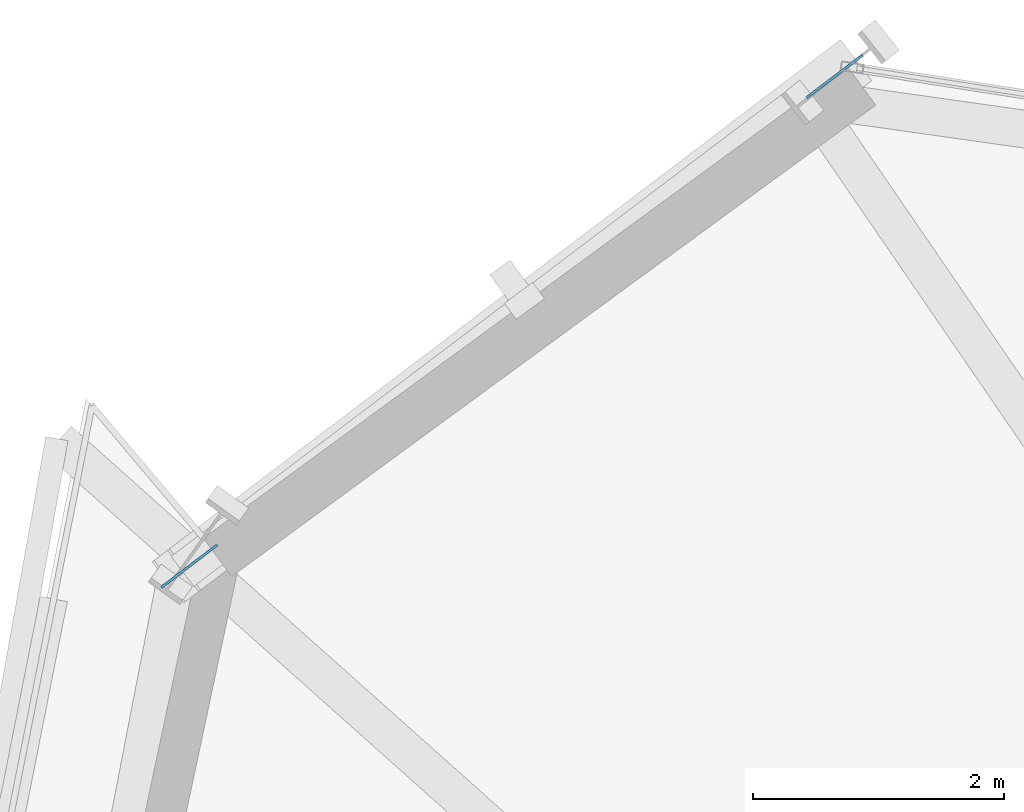
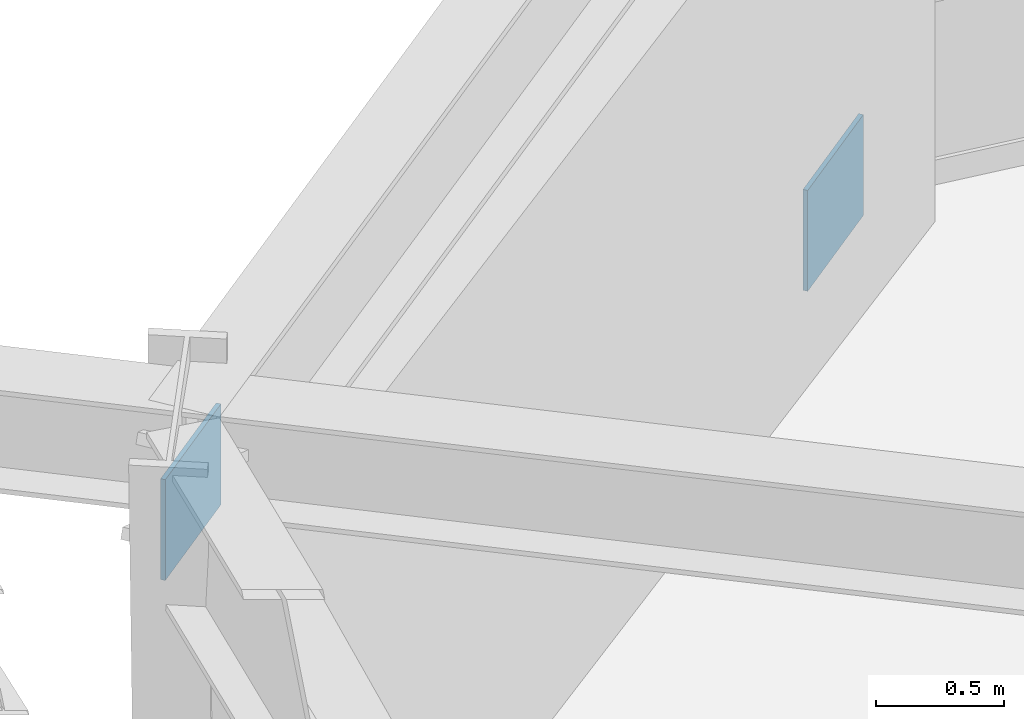
# One storey, part 16 of 22: 2 plates.
"""IFC4 building model written with IfcOpenShell, lengths in metres."""

import ifcopenshell
import ifcopenshell.guid

model = None  # the IFC model being written
_history = None  # IfcOwnerHistory: only IFC2X3 demands one
_inside = {}  # id of a spatial element -> (the spatial element, [elements in it])
_under = {}  # id of a project, library or spatial element -> (it, [spatial elements below it])
_declared = {}  # id of a project -> (the project, [libraries it declares])
_typed = {}  # id of a type object -> (the type object, [elements of that type])
_made_of = {}  # id of a material, layer set ... -> (it, [elements and type objects made of it])


def new_model(schema):
    """Start an empty IFC model of exactly this schema.

    Asked for "IFC4X3", IfcOpenShell would pick the latest addendum, in which some entities
    have other attributes; the version numbers below select the first issue.
    IFC2X3 requires an IfcOwnerHistory on every rooted entity: one is made here for all.
    """
    global model, _history
    if schema == "IFC4X3":
        model = ifcopenshell.file(schema_version=(4, 3, 0, 0))
    else:
        model = ifcopenshell.file(schema=schema)
    _inside.clear()
    _under.clear()
    _declared.clear()
    _typed.clear()
    _made_of.clear()
    _history = None
    if model.schema == "IFC2X3":
        org = make("IfcOrganization", Name="unknown")
        user = make(
            "IfcPersonAndOrganization",
            ThePerson=make("IfcPerson", FamilyName="unknown"),
            TheOrganization=org,
        )
        app = make(
            "IfcApplication",
            ApplicationDeveloper=org,
            Version="unknown",
            ApplicationFullName="unknown",
            ApplicationIdentifier="unknown",
        )
        _history = make(
            "IfcOwnerHistory",
            OwningUser=user,
            OwningApplication=app,
            ChangeAction="ADDED",
            CreationDate=0,
        )
    return model


def make(cls, **values):
    """One entity of the class cls with the attributes given. An attribute that is None is left unset."""
    return model.create_entity(
        cls, **{name: value for name, value in values.items() if value is not None}
    )


def rooted(cls, **values):
    """An entity with a GlobalId (a new one), such as an element, a storey or a relation."""
    return make(cls, GlobalId=ifcopenshell.guid.new(), OwnerHistory=_history, **values)


def si_unit(unit_type, name, prefix=None):
    """IfcSIUnit, for example si_unit("LENGTHUNIT", "METRE", prefix="MILLI")."""
    return make("IfcSIUnit", UnitType=unit_type, Prefix=prefix, Name=name)


def assignment(units):
    """IfcUnitAssignment: the units of a project."""
    return None if units is None else make("IfcUnitAssignment", Units=units)


def point(xyz):
    """IfcCartesianPoint."""
    return None if xyz is None else make("IfcCartesianPoint", Coordinates=xyz)


def direction(xyz):
    """IfcDirection."""
    return None if xyz is None else make("IfcDirection", DirectionRatios=xyz)


def frame(location, z_axis=None, x_axis=None):
    """IfcAxis2Placement3D, a coordinate frame: its origin and axes. An axis left out is left unset."""
    return make(
        "IfcAxis2Placement3D",
        Location=point(location),
        Axis=direction(z_axis),
        RefDirection=direction(x_axis),
    )


def frame_2d(location, x_axis=None):
    """IfcAxis2Placement2D, a coordinate frame in the plane: its origin and x axis."""
    return make(
        "IfcAxis2Placement2D", Location=point(location), RefDirection=direction(x_axis)
    )


def origin():
    """The frame at (0, 0, 0) with its axes left unset."""
    return frame((0.0, 0.0, 0.0))


def origin_2d():
    """The frame at (0, 0) in the plane with its x axis left unset."""
    return frame_2d((0.0, 0.0))


def place(relative_to, where):
    """IfcLocalPlacement: puts the frame where relative to a parent placement (None: the world)."""
    return make(
        "IfcLocalPlacement", PlacementRelTo=relative_to, RelativePlacement=where
    )


def context(
    kind, dimensions, precision=None, world=None, true_north=None, identifier=None
):
    """IfcGeometricRepresentationContext, for example the 3D "Model" context."""
    return make(
        "IfcGeometricRepresentationContext",
        ContextIdentifier=identifier,
        ContextType=kind,
        CoordinateSpaceDimension=dimensions,
        Precision=precision,
        WorldCoordinateSystem=world,
        TrueNorth=true_north,
    )


def subcontext(parent, identifier, kind, view, scale=None):
    """IfcGeometricRepresentationSubContext, for example "Body" below "Model"."""
    return make(
        "IfcGeometricRepresentationSubContext",
        ContextIdentifier=identifier,
        ContextType=kind,
        ParentContext=parent,
        TargetScale=scale,
        TargetView=view,
    )


def project(units=None, contexts=None):
    """IfcProject with its units and contexts."""
    return rooted(
        "IfcProject",
        Name="project",
        RepresentationContexts=contexts,
        UnitsInContext=assignment(units),
    )


def spatial(cls, under=None, at=None, **own):
    """A site, building, storey or space (cls), placed at a placement, below another one or the project."""
    s = rooted(cls, ObjectPlacement=at, **own)
    if under is not None:
        _under.setdefault(under.id(), (under, []))[1].append(s)
    return s


def profile(cls, at=None, kind="AREA", **sizes):
    """A parametric profile (cls). Its sizes go by their IFC names, for example OverallWidth=200.0."""
    return make(cls, ProfileType=kind, Position=at, **sizes)


def rectangle(**sizes):
    """IfcRectangleProfileDef."""
    return profile("IfcRectangleProfileDef", **sizes)


def extrude(swept, where, along, depth):
    """IfcExtrudedAreaSolid: the profile swept, set in the frame where, extruded along a direction by depth."""
    return make(
        "IfcExtrudedAreaSolid",
        SweptArea=swept,
        Position=where,
        ExtrudedDirection=direction(along),
        Depth=depth,
    )


def shape(context_of_items, identifier, shape_type, items):
    """IfcShapeRepresentation: the items that make up one representation, for example the "Body"."""
    return make(
        "IfcShapeRepresentation",
        ContextOfItems=context_of_items,
        RepresentationIdentifier=identifier,
        RepresentationType=shape_type,
        Items=items,
    )


def source(mapping_origin, context_of_items, identifier, shape_type, items):
    """IfcRepresentationMap: a shape defined once, which mapped items show again and again."""
    return make(
        "IfcRepresentationMap",
        MappingOrigin=mapping_origin,
        MappedRepresentation=shape(context_of_items, identifier, shape_type, items),
    )


def transform(
    local_origin,
    x_axis=None,
    y_axis=None,
    z_axis=None,
    scale=None,
    scale2=None,
    scale3=None,
    uniform=True,
):
    """IfcCartesianTransformationOperator3D, or its non-uniform kind. x_axis, y_axis, z_axis: its Axis1, 2, 3."""
    if uniform:
        return make(
            "IfcCartesianTransformationOperator3D",
            Axis1=direction(x_axis),
            Axis2=direction(y_axis),
            LocalOrigin=point(local_origin),
            Scale=scale,
            Axis3=direction(z_axis),
        )
    return make(
        "IfcCartesianTransformationOperator3DnonUniform",
        Axis1=direction(x_axis),
        Axis2=direction(y_axis),
        LocalOrigin=point(local_origin),
        Scale=scale,
        Axis3=direction(z_axis),
        Scale2=scale2,
        Scale3=scale3,
    )


def mapped(mapping_source, mapping_target):
    """IfcMappedItem: shows the shape of a source again, moved by a transform."""
    return make(
        "IfcMappedItem", MappingSource=mapping_source, MappingTarget=mapping_target
    )


def material(Name=None, Category=None):
    """IfcMaterial."""
    return make("IfcMaterial", Name=Name, Category=Category)


def made_of(thing, what):
    """Note that an element or type object is made of a material, layer set ...; save() writes the relation."""
    if what is not None:
        _made_of.setdefault(what.id(), (what, []))[1].append(thing)
    return thing


def type_object(cls, material=None, **own):
    """A type object (cls), such as IfcWallType, which elements share."""
    return made_of(rooted(cls, **own), material)


def element(
    cls,
    number,
    at=None,
    inside=None,
    cuts=None,
    type_object=None,
    material=None,
    context=None,
    identifier="Body",
    shape_type=None,
    held_by="IfcProductDefinitionShape",
    body=None,
    shapes=None,
    **own,
):
    """One element of the class cls, such as IfcWall. Its Tag is "e" and its number.

    at: its placement. inside: the storey or other place that contains it. cuts: it is an
    opening in that element (IfcRelVoidsElement). A single representation is given by context,
    identifier, shape_type and body (its items); several are given by shapes. held_by: the class
    of the entity that holds the representations. save() writes the other relations.
    """
    e = rooted(cls, Tag="e%d" % number, ObjectPlacement=at, **own)
    if body is not None:
        shapes = [shape(context, identifier, shape_type, body)]
    if shapes is not None:
        e.Representation = make(held_by, Representations=shapes)
    if inside is not None:
        _inside.setdefault(inside.id(), (inside, []))[1].append(e)
    if cuts is not None:
        rooted(
            "IfcRelVoidsElement", RelatingBuildingElement=cuts, RelatedOpeningElement=e
        )
    if type_object is not None:
        _typed.setdefault(type_object.id(), (type_object, []))[1].append(e)
    return made_of(e, material)


def aggregate(whole, parts):
    """IfcRelAggregates: a whole, such as a stair, and the parts it consists of."""
    return rooted("IfcRelAggregates", RelatingObject=whole, RelatedObjects=parts)


def save(model, path):
    """Write the relations noted so far, then the file.

    IfcRelAggregates (storeys below a building ...), IfcRelContainedInSpatialStructure (elements
    in a storey), IfcRelDefinesByType, IfcRelAssociatesMaterial and IfcRelDeclares: one each for
    every whole, place, type object, material and project.
    """
    for whole, parts in _under.values():
        aggregate(whole, parts)
    for where, things in _inside.values():
        rooted(
            "IfcRelContainedInSpatialStructure",
            RelatedElements=things,
            RelatingStructure=where,
        )
    for kind, things in _typed.values():
        rooted("IfcRelDefinesByType", RelatedObjects=things, RelatingType=kind)
    for what, things in _made_of.values():
        rooted("IfcRelAssociatesMaterial", RelatedObjects=things, RelatingMaterial=what)
    for by, libraries in _declared.values():
        rooted("IfcRelDeclares", RelatingContext=by, RelatedDefinitions=libraries)
    model.write(path)


model = new_model("IFC4")

# Units and contexts
model_context = context("Model", 3, precision=1e-05, world=origin(), true_north=direction((0.0, 1.0)))
body_context = subcontext(model_context, "Body", "Model", "MODEL_VIEW")
ifc_project = project(units=[si_unit("LENGTHUNIT", "METRE"), si_unit("AREAUNIT", "SQUARE_METRE"), si_unit("VOLUMEUNIT", "CUBIC_METRE"), si_unit("PLANEANGLEUNIT", "RADIAN"), si_unit("MASSUNIT", "GRAM", prefix="KILO")], contexts=[model_context])

# Site, building, storey
site_placement = place(None, origin())
site = spatial("IfcSite", under=ifc_project, at=site_placement, CompositionType="ELEMENT")
building_placement = place(site_placement, origin())
building = spatial("IfcBuilding", under=site, at=building_placement, Name="Olszyna Solenne Hotel", CompositionType="ELEMENT")
storey_placement = place(building_placement, frame((0.0, 0.0, 50.60009765625)))
storey = spatial("IfcBuildingStorey", under=building, at=storey_placement, Name="L12", CompositionType="ELEMENT", Elevation=50.60009765625)

# Plates
ifc_material = material(Name="Steel S355J2", Category="steel")
plate_type = type_object("IfcPlateType", Name="GP-ND2", PredefinedType="USERDEFINED", material=ifc_material)
shared_shape = source(origin(), body_context, "Body", "SweptSolid", [
    extrude(rectangle(XDim=0.56005859375, YDim=0.02001953125, at=origin_2d()), origin(), (0.0, 0.0, 1.0), 0.47998046875),
])
for number, where, z_axis, x_axis, name in (
    (1, (24.36376953125, 46.97216796875, -0.174560546875), (0.0, 0.0, 1.0), (-0.796635428344, -0.604460084958, 0.0), "Brace end connection gusset plate GP-ND2 EP-BR-L12-2-1"),
    (2, (19.216064453125, 43.06591796875, 2.619384765625), (0.0, 0.0, 1.0), (-0.796635428344, -0.604460084958, 0.0), "Brace end connection gusset plate GP-ND2 EP-BR-L12-2-2"),
):
    element("IfcPlate", number, at=place(storey_placement, frame(where, z_axis=z_axis, x_axis=x_axis)), inside=storey, type_object=plate_type, Name=name, ObjectType="GUSSET_PLATE", PredefinedType="USERDEFINED", context=body_context, shape_type="MappedRepresentation", body=[
        mapped(shared_shape, transform((0.0, 0.0, 0.0), x_axis=(1.0, 0.0, 0.0), y_axis=(0.0, 1.0, 0.0), z_axis=(0.0, 0.0, 1.0), scale=1.0)),
    ])

save(model, "model.ifc")
